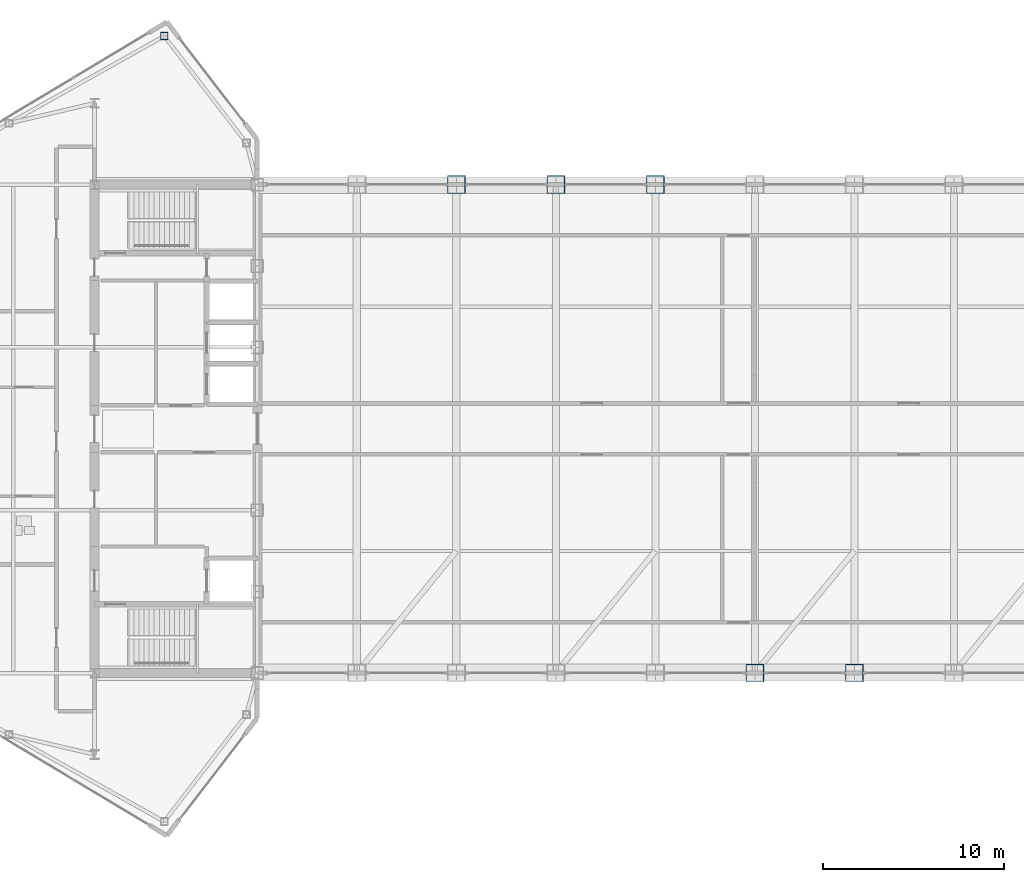
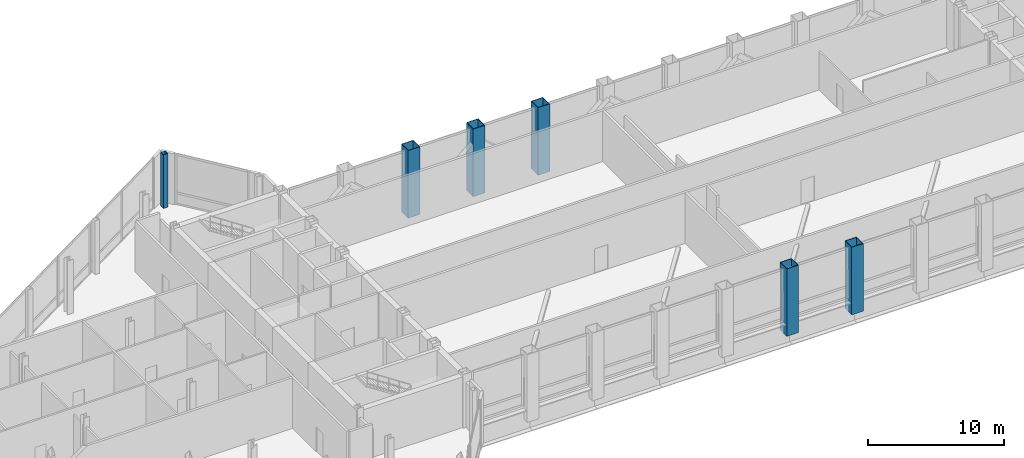
# One storey, part 3 of 29: 6 columns.
"""IFC4 building model written with IfcOpenShell, lengths in metres."""

from ifc_helpers import new_model, si_unit, direction, frame, origin, origin_2d, place, context, subcontext, project, spatial, hollow_rectangle, extrude, source, transform, mapped, material, material_profile, profile_set, type_object, type_shapes, element, save


model = new_model("IFC4")

# Units and contexts
model_context = context("Model", 3, precision=1e-05, world=origin(), true_north=direction((0.0, 1.0)))
body_context = subcontext(model_context, "Body", "Model", "MODEL_VIEW")
ifc_project = project(units=[si_unit("LENGTHUNIT", "METRE"), si_unit("AREAUNIT", "SQUARE_METRE"), si_unit("VOLUMEUNIT", "CUBIC_METRE"), si_unit("PLANEANGLEUNIT", "RADIAN"), si_unit("MASSUNIT", "GRAM", prefix="KILO")], contexts=[model_context])

# Site, building, storey
site_placement = place(None, origin())
site = spatial("IfcSite", under=ifc_project, at=site_placement, CompositionType="ELEMENT")
building_placement = place(site_placement, origin())
building = spatial("IfcBuilding", under=site, at=building_placement, Name="Seokmaru Belvedere", CompositionType="ELEMENT")
storey_placement = place(building_placement, frame((0.0, 0.0, 229.800048828125)))
storey = spatial("IfcBuildingStorey", under=building, at=storey_placement, Name="L61", CompositionType="ELEMENT", Elevation=229.800048828125)

# Columns
ifc_material_1 = material(Name="Steel SM355 (355 MPa)", Category="steel")
ifc_material_profile_1 = material_profile(ifc_material_1, hollow_rectangle(XDim=0.39990234375, YDim=0.39990234375, WallThickness=0.01611328125, at=origin_2d()), Name="HSS-400x400x16")
ifc_profile_set_1 = profile_set([ifc_material_profile_1], Name="Steel SM355 (355 MPa)")
column_type_1 = type_object("IfcColumnType", Name="Perimeter Facet Column HSS-400", PredefinedType="COLUMN", material=ifc_profile_set_1)
shared_shape_1 = source(origin(), body_context, "Body", "SweptSolid", [
    extrude(hollow_rectangle(XDim=0.39990234375, YDim=0.39990234375, WallThickness=0.01611328125, at=origin_2d()), origin(), (0.0, 0.0, 1.0), 4.800048828125),
])
type_shapes(column_type_1, [shared_shape_1])
column_placement = place(storey_placement, frame((-32.649658203125, 21.71044921875, 0.0), z_axis=(0.0, 0.0, 1.0), x_axis=(1.0, 0.0, 0.0)))
element("IfcColumn", 1, at=column_placement, inside=storey, type_object=column_type_1, Name="L61 Column WF3", PredefinedType="COLUMN", context=body_context, shape_type="MappedRepresentation", body=[
    mapped(shared_shape_1, transform((0.0, 0.0, 0.0), scale=1.0)),
])
ifc_material_2 = material(Name="Steel HSA650 (650 MPa)", Category="steel")
ifc_material_profile_2 = material_profile(ifc_material_2, hollow_rectangle(XDim=1.0, YDim=1.0, WallThickness=0.0419921875, at=origin_2d()), Name="BOX-1000x1000x42")
ifc_profile_set_2 = profile_set([ifc_material_profile_2], Name="Steel HSA650 (650 MPa)")
column_type_2 = type_object("IfcColumnType", Name="Portal Spine Column BOX-1000", PredefinedType="COLUMN", material=ifc_profile_set_2)
shared_shape_2 = source(origin(), body_context, "Body", "SweptSolid", [
    extrude(hollow_rectangle(XDim=1.0, YDim=1.0, WallThickness=0.0419921875, at=origin_2d()), origin(), (0.0, 0.0, 1.0), 6.06005859375),
])
type_shapes(column_type_2, [shared_shape_2])
for number, where, z_axis, x_axis, name in (
    (2, (-16.5, 13.5, -1.260009765625), (0.0, 0.0, 1.0), (1.0, 0.0, 0.0), "L61 Column BRN_2"),
    (3, (-11.0, 13.5, -1.260009765625), (0.0, 0.0, 1.0), (1.0, 0.0, 0.0), "L61 Column BRN_3"),
    (4, (-5.5, 13.5, -1.260009765625), (0.0, 0.0, 1.0), (1.0, 0.0, 0.0), "L61 Column BRN_4"),
    (5, (0.0, -13.5, -1.260009765625), (0.0, 0.0, 1.0), (1.0, 0.0, 0.0), "L61 Column BRS_5"),
    (6, (5.5, -13.5, -1.260009765625), (0.0, 0.0, 1.0), (1.0, 0.0, 0.0), "L61 Column BRS_6"),
):
    element("IfcColumn", number, at=place(storey_placement, frame(where, z_axis=z_axis, x_axis=x_axis)), inside=storey, type_object=column_type_2, Name=name, PredefinedType="COLUMN", context=body_context, shape_type="MappedRepresentation", body=[
        mapped(shared_shape_2, transform((0.0, 0.0, 0.0), scale=1.0)),
    ])

save(model, "model.ifc")
